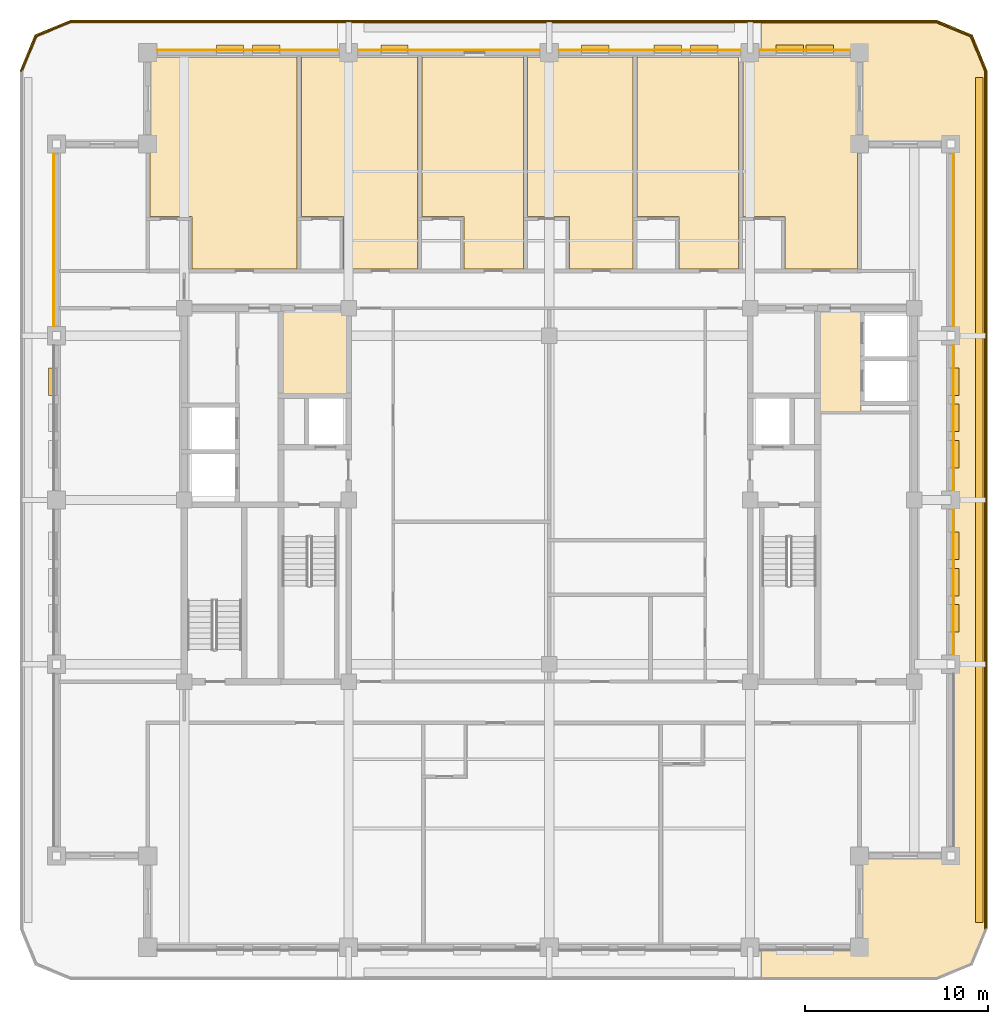
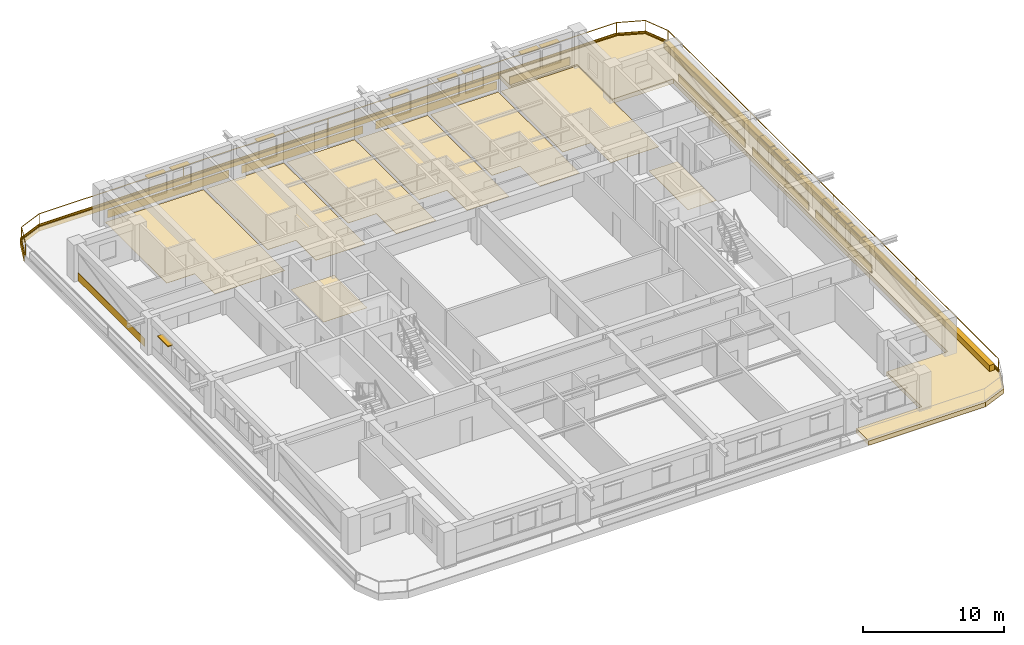
# One storey, part 14 of 14: 24 coverings, 15 shading devices, 2 railings.
"""IFC4 building model written with IfcOpenShell, lengths in metres."""

from ifc_helpers import new_model, si_unit, direction, frame, frame_2d, origin, origin_2d, place, context, subcontext, project, spatial, polyline, rectangle, outline, extrude, material, layer, layer_set, type_object, element, save


model = new_model("IFC4")

# Units and contexts
model_context = context("Model", 3, precision=1e-05, world=origin(), true_north=direction((0.0, 1.0)))
body_context = subcontext(model_context, "Body", "Model", "MODEL_VIEW")
ifc_project = project(units=[si_unit("LENGTHUNIT", "METRE"), si_unit("AREAUNIT", "SQUARE_METRE"), si_unit("VOLUMEUNIT", "CUBIC_METRE"), si_unit("PLANEANGLEUNIT", "RADIAN"), si_unit("MASSUNIT", "GRAM", prefix="KILO")], contexts=[model_context])

# Site, building, storey
site_placement = place(None, origin())
site = spatial("IfcSite", under=ifc_project, at=site_placement, CompositionType="ELEMENT")
building_placement = place(site_placement, origin())
building = spatial("IfcBuilding", under=site, at=building_placement, Name="Zulmaris Gate Convention Tower", CompositionType="ELEMENT")
storey_placement = place(building_placement, frame((0.0, 0.0, 194.85986328125)))
storey = spatial("IfcBuildingStorey", under=building, at=storey_placement, Name="L50", CompositionType="ELEMENT", Elevation=194.85986328125)

# Coverings
ifc_material_1 = material(Name="Precast concrete C40/50", Category="concrete")
ifc_layer_1 = layer(ifc_material_1, 0.0400390625, Name="Precast concrete C40/50")
ifc_layer_set_1 = layer_set([ifc_layer_1], Name="Precast concrete C40/50")
covering_type_1 = type_object("IfcCoveringType", Name="CLAD-SPANDREL-PRECAST", PredefinedType="CLADDING", material=ifc_layer_set_1)
for number, where, z_axis, x_axis, name in (
    (1, (-11.530029296875, 24.64990234375, 0.0), (0.0, 0.0, 1.0), (-1.0, 0.0, 0.0), "CLD-L50-N-0_0"),
    (2, (-0.530029296875, 24.64990234375, 0.0), (0.0, 0.0, 1.0), (-1.0, 0.0, 0.0), "CLD-L50-N-1_0"),
    (3, (10.469970703125, 24.64990234375, 0.0), (0.0, 0.0, 1.0), (-1.0, 0.0, 0.0), "CLD-L50-N-2_0"),
):
    element("IfcCovering", number, at=place(storey_placement, frame(where, z_axis=z_axis, x_axis=x_axis)), inside=storey, type_object=covering_type_1, Name=name, PredefinedType="CLADDING", context=body_context, shape_type="SweptSolid", body=[
        extrude(rectangle(XDim=9.93994140625, YDim=0.0400390625, at=frame_2d((4.969970703125, 0.0))), origin(), (0.0, 0.0, 1.0), 0.679931640625),
    ])
covering_1_placement = place(storey_placement, frame((16.469970703125, 24.64990234375, 0.0), z_axis=(0.0, 0.0, 1.0), x_axis=(-1.0, 0.0, 0.0)))
element("IfcCovering", 4, at=covering_1_placement, inside=storey, type_object=covering_type_1, Name="CLD-L50-N-3_0", PredefinedType="CLADDING", context=body_context, shape_type="SweptSolid", body=[
    extrude(rectangle(XDim=4.93994140625, YDim=0.0400390625, at=frame_2d((2.469970703125, 0.0))), origin(), (0.0, 0.0, 1.0), 0.679931640625),
])
for number, where, z_axis, x_axis, name in (
    (5, (22.14990234375, -8.469970703125, 0.0), (0.0, 0.0, 1.0), (0.0, 1.0, 0.0), "CLD-L50-E-1_0"),
    (6, (22.14990234375, 0.530029296875, 0.0), (0.0, 0.0, 1.0), (0.0, 1.0, 0.0), "CLD-L50-E-2_0"),
):
    element("IfcCovering", number, at=place(storey_placement, frame(where, z_axis=z_axis, x_axis=x_axis)), inside=storey, type_object=covering_type_1, Name=name, PredefinedType="CLADDING", context=body_context, shape_type="SweptSolid", body=[
        extrude(rectangle(XDim=7.93994140625, YDim=0.0400390625, at=frame_2d((3.969970703125, 0.0))), origin(), (0.0, 0.0, 1.0), 0.679931640625),
    ])
for number, where, z_axis, x_axis, name in (
    (7, (22.14990234375, 9.530029296875, 0.0), (0.0, 0.0, 1.0), (0.0, 1.0, 0.0), "CLD-L50-E-3_0"),
    (8, (-27.14990234375, 18.969970703125, 0.0), (0.0, 0.0, 1.0), (0.0, -1.0, 0.0), "CLD-L50-W-3_0"),
):
    element("IfcCovering", number, at=place(storey_placement, frame(where, z_axis=z_axis, x_axis=x_axis)), inside=storey, type_object=covering_type_1, Name=name, PredefinedType="CLADDING", context=body_context, shape_type="SweptSolid", body=[
        extrude(rectangle(XDim=9.43994140625, YDim=0.0400390625, at=frame_2d((4.719970703125, 0.0))), origin(), (0.0, 0.0, 1.0), 0.679931640625),
    ])
ifc_material_2 = material(Name="White Glazed Architectural Precast Concrete C40/50", Category="concrete")
ifc_layer_2 = layer(ifc_material_2, 0.239990234375, Name="White Glazed Architectural Precast Concrete C40/50")
ifc_layer_set_2 = layer_set([ifc_layer_2], Name="White Glazed Architectural Precast Concrete C40/50")
covering_type_2 = type_object("IfcCoveringType", Name="CLAD-TRAY-DECK", PredefinedType="CLADDING", material=ifc_layer_set_2)
covering_2_placement = place(storey_placement, frame((0.0, 0.0, -0.425048828125)))
element("IfcCovering", 9, at=covering_2_placement, inside=storey, type_object=covering_type_2, Name="L50 East Rounded-Fascia Planter Tray Deck", PredefinedType="CLADDING", context=body_context, shape_type="SweptSolid", body=[
    extrude(outline(polyline([(21.199951171875, 26.300048828125), (23.179931640625, 25.47998046875), (24.0, 23.5), (24.0, -23.5), (23.179931640625, -25.47998046875), (21.199951171875, -26.300048828125), (11.60205078125, -26.300048828125), (11.60205078125, -24.5), (17.0, -24.5), (17.0, -19.5), (22.0, -19.5), (22.0, 19.5), (17.0, 19.5), (17.0, 24.5), (11.60205078125, 24.5), (11.60205078125, 26.300048828125), (21.199951171875, 26.300048828125)])), origin(), (0.0, 0.0, 1.0), 0.385009765625),
])
ifc_layer_3 = layer(ifc_material_2, 0.080078125, Name="White Glazed Architectural Precast Concrete C40/50")
ifc_layer_set_3 = layer_set([ifc_layer_3], Name="White Glazed Architectural Precast Concrete C40/50")
covering_type_3 = type_object("IfcCoveringType", Name="CLAD-TRAY-FASCIA", PredefinedType="CLADDING", material=ifc_layer_set_3)
covering_3_placement = place(storey_placement, frame((23.9599609375, -23.5, -0.46484375), z_axis=(0.0, 0.0, 1.0), x_axis=(0.0, 1.0, 0.0)))
element("IfcCovering", 10, at=covering_3_placement, inside=storey, type_object=covering_type_3, Name="FSC-L50-TR-05", PredefinedType="CLADDING", context=body_context, shape_type="SweptSolid", body=[
    extrude(rectangle(XDim=47.0, YDim=0.080078125, at=frame_2d((23.5, 0.0))), origin(), (0.0, 0.0, 1.0), 0.5849609375),
])
covering_4_placement = place(storey_placement, frame((23.962890625, 23.484619140625, -0.46484375), z_axis=(0.0, 0.0, 1.0), x_axis=(-0.382656984709, 0.923890487046, 0.0)))
element("IfcCovering", 11, at=covering_4_placement, inside=storey, type_object=covering_type_3, Name="FSC-L50-TR-06", PredefinedType="CLADDING", context=body_context, shape_type="SweptSolid", body=[
    extrude(rectangle(XDim=2.14306640625, YDim=0.080078125, at=frame_2d((1.071533203125, 0.0))), origin(), (0.0, 0.0, 1.0), 0.5849609375),
])
covering_5_placement = place(storey_placement, frame((23.16455078125, 25.44287109375, -0.46484375), z_axis=(0.0, 0.0, 1.0), x_axis=(-0.923873803533, 0.382697263049, 0.0)))
element("IfcCovering", 12, at=covering_5_placement, inside=storey, type_object=covering_type_3, Name="FSC-L50-TR-07", PredefinedType="CLADDING", context=body_context, shape_type="SweptSolid", body=[
    extrude(rectangle(XDim=2.142822265625, YDim=0.080078125, at=frame_2d((1.0712890625, 0.0))), origin(), (0.0, 0.0, 1.0), 0.5849609375),
])
covering_6_placement = place(storey_placement, frame((21.199951171875, 26.260009765625, -0.46484375), z_axis=(0.0, 0.0, 1.0), x_axis=(-1.0, 0.0, 0.0)))
element("IfcCovering", 13, at=covering_6_placement, inside=storey, type_object=covering_type_3, Name="FSC-L50-TR-08", PredefinedType="CLADDING", context=body_context, shape_type="SweptSolid", body=[
    extrude(rectangle(XDim=47.39990234375, YDim=0.080078125, at=frame_2d((23.699951171875, 0.0))), origin(), (0.0, 0.0, 1.0), 0.5849609375),
])
covering_7_placement = place(storey_placement, frame((-26.184814453125, 26.262939453125, -0.46484375), z_axis=(0.0, 0.0, 1.0), x_axis=(-0.923873803533, -0.382697263049, 0.0)))
element("IfcCovering", 14, at=covering_7_placement, inside=storey, type_object=covering_type_3, Name="FSC-L50-TR-09", PredefinedType="CLADDING", context=body_context, shape_type="SweptSolid", body=[
    extrude(rectangle(XDim=2.142822265625, YDim=0.080078125, at=frame_2d((1.0712890625, 0.0))), origin(), (0.0, 0.0, 1.0), 0.5849609375),
])
covering_8_placement = place(storey_placement, frame((-28.142822265625, 25.464599609375, -0.46484375), z_axis=(0.0, 0.0, 1.0), x_axis=(-0.382656984709, -0.923890487046, 0.0)))
element("IfcCovering", 15, at=covering_8_placement, inside=storey, type_object=covering_type_3, Name="FSC-L50-TR-10", PredefinedType="CLADDING", context=body_context, shape_type="SweptSolid", body=[
    extrude(rectangle(XDim=2.14306640625, YDim=0.080078125, at=frame_2d((1.071533203125, 0.0))), origin(), (0.0, 0.0, 1.0), 0.5849609375),
])
ifc_material_3 = material(Name="Woven Acoustic Wool Carpet Tile")
ifc_layer_4 = layer(ifc_material_3, 0.02001953125, Name="Woven Acoustic Wool Carpet Tile")
ifc_layer_set_4 = layer_set([ifc_layer_4], Name="Woven Acoustic Wool Carpet Tile")
covering_type_4 = type_object("IfcCoveringType", Name="FLR-CARPET-12", PredefinedType="FLOORING", material=ifc_layer_set_4)
covering_9_placement = place(storey_placement, origin())
element("IfcCovering", 16, at=covering_9_placement, inside=storey, type_object=covering_type_4, Name="FLR-L50-R11", PredefinedType="FLOORING", context=body_context, shape_type="SweptSolid", body=[
    extrude(outline(polyline([(-14.639892578125, 5.760009765625), (-11.06005859375, 5.760009765625), (-11.06005859375, 10.43994140625), (-14.639892578125, 10.43994140625), (-14.639892578125, 5.760009765625)])), origin(), (0.0, 0.0, 1.0), 0.02001953125),
])
covering_10_placement = place(storey_placement, origin())
element("IfcCovering", 17, at=covering_10_placement, inside=storey, type_object=covering_type_4, Name="FLR-L50-R21", PredefinedType="FLOORING", context=body_context, shape_type="SweptSolid", body=[
    extrude(outline(polyline([(14.760009765625, 4.860107421875), (17.090087890625, 4.860107421875), (17.090087890625, 10.43994140625), (14.760009765625, 10.43994140625), (14.760009765625, 4.860107421875)])), origin(), (0.0, 0.0, 1.0), 0.02001953125),
])
ifc_material_4 = material(Name="Engineered Teak Parquet Flooring")
ifc_layer_5 = layer(ifc_material_4, 0.02001953125, Name="Engineered Teak Parquet Flooring")
ifc_layer_set_5 = layer_set([ifc_layer_5], Name="Engineered Teak Parquet Flooring")
covering_type_5 = type_object("IfcCoveringType", Name="FLR-TIMBER-18", PredefinedType="FLOORING", material=ifc_layer_set_5)
covering_11_placement = place(storey_placement, origin())
element("IfcCovering", 18, at=covering_11_placement, inside=storey, type_object=covering_type_5, Name="FLR-L50-R30", PredefinedType="FLOORING", context=body_context, shape_type="SweptSolid", body=[
    extrude(outline(polyline([(-19.580078125, 12.669921875), (-13.820068359375, 12.669921875), (-13.820068359375, 24.260009765625), (-21.8798828125, 24.260009765625), (-21.8798828125, 15.52001953125), (-19.580078125, 15.52001953125), (-19.580078125, 12.669921875)])), origin(), (0.0, 0.0, 1.0), 0.02001953125),
])
covering_12_placement = place(storey_placement, origin())
element("IfcCovering", 19, at=covering_12_placement, inside=storey, type_object=covering_type_5, Name="FLR-L50-R32", PredefinedType="FLOORING", context=body_context, shape_type="SweptSolid", body=[
    extrude(outline(polyline([(-11.280029296875, 12.669921875), (-7.219970703125, 12.669921875), (-7.219970703125, 24.260009765625), (-13.580078125, 24.260009765625), (-13.580078125, 15.52001953125), (-11.280029296875, 15.52001953125), (-11.280029296875, 12.669921875)])), origin(), (0.0, 0.0, 1.0), 0.02001953125),
])
covering_13_placement = place(storey_placement, origin())
element("IfcCovering", 20, at=covering_13_placement, inside=storey, type_object=covering_type_5, Name="FLR-L50-R34", PredefinedType="FLOORING", context=body_context, shape_type="SweptSolid", body=[
    extrude(outline(polyline([(-4.679931640625, 12.669921875), (-1.419921875, 12.669921875), (-1.419921875, 24.260009765625), (-6.97998046875, 24.260009765625), (-6.97998046875, 15.52001953125), (-4.679931640625, 15.52001953125), (-4.679931640625, 12.669921875)])), origin(), (0.0, 0.0, 1.0), 0.02001953125),
])
covering_14_placement = place(storey_placement, origin())
element("IfcCovering", 21, at=covering_14_placement, inside=storey, type_object=covering_type_5, Name="FLR-L50-R36", PredefinedType="FLOORING", context=body_context, shape_type="SweptSolid", body=[
    extrude(outline(polyline([(1.1201171875, 12.669921875), (4.580078125, 12.669921875), (4.580078125, 24.260009765625), (-1.179931640625, 24.260009765625), (-1.179931640625, 15.52001953125), (1.1201171875, 15.52001953125), (1.1201171875, 12.669921875)])), origin(), (0.0, 0.0, 1.0), 0.02001953125),
])
covering_15_placement = place(storey_placement, origin())
element("IfcCovering", 22, at=covering_15_placement, inside=storey, type_object=covering_type_5, Name="FLR-L50-R38", PredefinedType="FLOORING", context=body_context, shape_type="SweptSolid", body=[
    extrude(outline(polyline([(7.1201171875, 12.669921875), (10.3798828125, 12.669921875), (10.3798828125, 24.260009765625), (4.820068359375, 24.260009765625), (4.820068359375, 15.52001953125), (7.1201171875, 15.52001953125), (7.1201171875, 12.669921875)])), origin(), (0.0, 0.0, 1.0), 0.02001953125),
])
covering_16_placement = place(storey_placement, origin())
element("IfcCovering", 23, at=covering_16_placement, inside=storey, type_object=covering_type_5, Name="FLR-L50-R40", PredefinedType="FLOORING", context=body_context, shape_type="SweptSolid", body=[
    extrude(outline(polyline([(12.919921875, 12.669921875), (16.8798828125, 12.669921875), (16.8798828125, 24.260009765625), (10.6201171875, 24.260009765625), (10.6201171875, 15.52001953125), (12.919921875, 15.52001953125), (12.919921875, 12.669921875)])), origin(), (0.0, 0.0, 1.0), 0.02001953125),
])
ifc_material_5 = material(Name="Botanical Green Glazed Precast Concrete C40/50", Category="concrete")
ifc_layer_6 = layer(ifc_material_5, 0.419921875, Name="Botanical Green Glazed Precast Concrete C40/50")
ifc_layer_set_6 = layer_set([ifc_layer_6], Name="Botanical Green Glazed Precast Concrete C40/50")
covering_type_6 = type_object("IfcCoveringType", Name="PLANTER-BOX-200", PredefinedType="CLADDING", material=ifc_layer_set_6)
covering_17_placement = place(storey_placement, frame((0.0, 0.0, -0.0400390625)))
element("IfcCovering", 24, at=covering_17_placement, inside=storey, type_object=covering_type_6, Name="L50 E Full-Length Balcony Tree Planter Trough", PredefinedType="CLADDING", context=body_context, shape_type="SweptSolid", body=[
    extrude(outline(polyline([(23.340087890625, -23.14990234375), (23.760009765625, -23.14990234375), (23.760009765625, 23.14990234375), (23.340087890625, 23.14990234375), (23.340087890625, -23.14990234375)])), origin(), (0.0, 0.0, 1.0), 0.52001953125),
])

# Railings
ifc_material_6 = material(Name="Laminated Glass and Stainless Steel", Category="steel")
railing_type = type_object("IfcRailingType", Name="RL-BALC-1150", PredefinedType="BALUSTRADE", material=ifc_material_6)
railing_1_placement = place(storey_placement, frame((23.8798828125, -23.5, -0.0400390625)))
element("IfcRailing", 25, at=railing_1_placement, inside=storey, type_object=railing_type, Name="RL-L50-BALC-E", PredefinedType="BALUSTRADE", context=body_context, shape_type="SweptSolid", body=[
    extrude(rectangle(XDim=0.048095703125, YDim=0.048095703125, at=origin_2d()), frame((0.0, 0.0, 1.1259765625), z_axis=(0.0, 1.0, 0.0), x_axis=(-1.0, 0.0, 0.0)), (0.0, 0.0, 1.0), 47.0),
    extrude(rectangle(XDim=0.048095703125, YDim=0.048095703125, at=origin_2d()), frame((0.0, 0.0, 0.02392578125), z_axis=(0.0, 1.0, 0.0), x_axis=(-1.0, 0.0, 0.0)), (0.0, 0.0, 1.0), 47.0),
    extrude(rectangle(XDim=0.0419921875, YDim=0.0419921875, at=origin_2d()), origin(), (0.0, 0.0, 1.0), 1.101806640625),
    extrude(rectangle(XDim=0.0419921875, YDim=0.0419921875, at=origin_2d()), frame((0.0, 11.75, 0.0)), (0.0, 0.0, 1.0), 1.101806640625),
    extrude(rectangle(XDim=0.0419921875, YDim=0.0419921875, at=origin_2d()), frame((0.0, 23.5, 0.0)), (0.0, 0.0, 1.0), 1.101806640625),
    extrude(rectangle(XDim=0.0419921875, YDim=0.0419921875, at=origin_2d()), frame((0.0, 35.25, 0.0)), (0.0, 0.0, 1.0), 1.101806640625),
    extrude(rectangle(XDim=0.0419921875, YDim=0.0419921875, at=origin_2d()), frame((0.0, 47.0, 0.0)), (0.0, 0.0, 1.0), 1.101806640625),
])
railing_2_placement = place(storey_placement, frame((23.8798828125, 23.5, -0.0400390625)))
element("IfcRailing", 26, at=railing_2_placement, inside=storey, type_object=railing_type, Name="RL-L50-BALC-N", PredefinedType="BALUSTRADE", context=body_context, shape_type="SweptSolid", body=[
    extrude(rectangle(XDim=0.048095703125, YDim=0.048095703125, at=origin_2d()), frame((0.0, 0.0, 1.1259765625), z_axis=(-0.382670664694, 0.92388482095, 0.0), x_axis=(-0.92388482095, -0.382670664694, 0.0)), (0.0, 0.0, 1.0), 2.051025390625),
    extrude(rectangle(XDim=0.048095703125, YDim=0.048095703125, at=origin_2d()), frame((0.0, 0.0, 0.02392578125), z_axis=(-0.382670664694, 0.92388482095, 0.0), x_axis=(-0.92388482095, -0.382670664694, 0.0)), (0.0, 0.0, 1.0), 2.051025390625),
    extrude(rectangle(XDim=0.048095703125, YDim=0.048095703125, at=origin_2d()), frame((-0.784912109375, 1.89501953125, 1.1259765625), z_axis=(-0.92388482095, 0.382670664694, 0.0), x_axis=(-0.382670664694, -0.92388482095, 0.0)), (0.0, 0.0, 1.0), 2.051025390625),
    extrude(rectangle(XDim=0.048095703125, YDim=0.048095703125, at=origin_2d()), frame((-0.784912109375, 1.89501953125, 0.02392578125), z_axis=(-0.92388482095, 0.382670664694, 0.0), x_axis=(-0.382670664694, -0.92388482095, 0.0)), (0.0, 0.0, 1.0), 2.051025390625),
    extrude(rectangle(XDim=0.048095703125, YDim=0.048095703125, at=origin_2d()), frame((-2.679931640625, 2.679931640625, 1.1259765625), z_axis=(-1.0, 0.0, 0.0), x_axis=(0.0, -1.0, 0.0)), (0.0, 0.0, 1.0), 47.39990234375),
    extrude(rectangle(XDim=0.048095703125, YDim=0.048095703125, at=origin_2d()), frame((-2.679931640625, 2.679931640625, 0.02392578125), z_axis=(-1.0, 0.0, 0.0), x_axis=(0.0, -1.0, 0.0)), (0.0, 0.0, 1.0), 47.39990234375),
    extrude(rectangle(XDim=0.048095703125, YDim=0.048095703125, at=origin_2d()), frame((-50.079833984375, 2.679931640625, 1.1259765625), z_axis=(-0.92388482095, -0.382670664694, 0.0), x_axis=(0.382670664694, -0.92388482095, 0.0)), (0.0, 0.0, 1.0), 2.051025390625),
    extrude(rectangle(XDim=0.048095703125, YDim=0.048095703125, at=origin_2d()), frame((-50.079833984375, 2.679931640625, 0.02392578125), z_axis=(-0.92388482095, -0.382670664694, 0.0), x_axis=(0.382670664694, -0.92388482095, 0.0)), (0.0, 0.0, 1.0), 2.051025390625),
    extrude(rectangle(XDim=0.048095703125, YDim=0.048095703125, at=origin_2d()), frame((-51.974853515625, 1.89501953125, 1.1259765625), z_axis=(-0.382670664694, -0.92388482095, 0.0), x_axis=(0.92388482095, -0.382670664694, 0.0)), (0.0, 0.0, 1.0), 2.051025390625),
    extrude(rectangle(XDim=0.048095703125, YDim=0.048095703125, at=origin_2d()), frame((-51.974853515625, 1.89501953125, 0.02392578125), z_axis=(-0.382670664694, -0.92388482095, 0.0), x_axis=(0.92388482095, -0.382670664694, 0.0)), (0.0, 0.0, 1.0), 2.051025390625),
    extrude(rectangle(XDim=0.0419921875, YDim=0.0419921875, at=origin_2d()), origin(), (0.0, 0.0, 1.0), 1.101806640625),
    extrude(rectangle(XDim=0.0419921875, YDim=0.0419921875, at=origin_2d()), frame((-0.784912109375, 1.89501953125, 0.0)), (0.0, 0.0, 1.0), 1.101806640625),
    extrude(rectangle(XDim=0.0419921875, YDim=0.0419921875, at=origin_2d()), frame((-2.679931640625, 2.679931640625, 0.0)), (0.0, 0.0, 1.0), 1.101806640625),
    extrude(rectangle(XDim=0.0419921875, YDim=0.0419921875, at=origin_2d()), frame((-14.52978515625, 2.679931640625, 0.0)), (0.0, 0.0, 1.0), 1.101806640625),
    extrude(rectangle(XDim=0.0419921875, YDim=0.0419921875, at=origin_2d()), frame((-26.3798828125, 2.679931640625, 0.0)), (0.0, 0.0, 1.0), 1.101806640625),
    extrude(rectangle(XDim=0.0419921875, YDim=0.0419921875, at=origin_2d()), frame((-38.22998046875, 2.679931640625, 0.0)), (0.0, 0.0, 1.0), 1.101806640625),
    extrude(rectangle(XDim=0.0419921875, YDim=0.0419921875, at=origin_2d()), frame((-50.079833984375, 2.679931640625, 0.0)), (0.0, 0.0, 1.0), 1.101806640625),
    extrude(rectangle(XDim=0.0419921875, YDim=0.0419921875, at=origin_2d()), frame((-51.974853515625, 1.89501953125, 0.0)), (0.0, 0.0, 1.0), 1.101806640625),
    extrude(rectangle(XDim=0.0419921875, YDim=0.0419921875, at=origin_2d()), frame((-52.759765625, 0.0, 0.0)), (0.0, 0.0, 1.0), 1.101806640625),
])

# Shading devices
ifc_material_7 = material(Name="Glazed Ceramic Terracotta", Category="masonry")
ifc_layer_7 = layer(ifc_material_7, 0.070068359375, Name="Glazed Ceramic Terracotta")
ifc_layer_set_7 = layer_set([ifc_layer_7], Name="Glazed Ceramic Terracotta")
shading_device_type = type_object("IfcShadingDeviceType", Name="SHD-SUNSHADE-TC", PredefinedType="AWNING", material=ifc_layer_set_7)
for number, where, z_axis, x_axis, name in (
    (27, (-14.756103515625, 24.719970703125, 2.35009765625), (0.0, 0.0, 1.0), (-1.0, 0.0, 0.0), "SHD-EW-L50-N-0_0-2"),
    (28, (-16.743896484375, 24.719970703125, 2.35009765625), (0.0, 0.0, 1.0), (-1.0, 0.0, 0.0), "SHD-EW-L50-N-0_0-3"),
    (29, (-7.73193359375, 24.719970703125, 2.35009765625), (0.0, 0.0, 1.0), (-1.0, 0.0, 0.0), "SHD-EW-L50-N-1_0-4"),
    (30, (9.23193359375, 24.719970703125, 2.35009765625), (0.0, 0.0, 1.0), (-1.0, 0.0, 0.0), "SHD-EW-L50-N-2_0-1"),
    (31, (7.243896484375, 24.719970703125, 2.35009765625), (0.0, 0.0, 1.0), (-1.0, 0.0, 0.0), "SHD-EW-L50-N-2_0-2"),
    (32, (3.26806640625, 24.719970703125, 2.35009765625), (0.0, 0.0, 1.0), (-1.0, 0.0, 0.0), "SHD-EW-L50-N-2_0-4"),
    (33, (15.572998046875, 24.719970703125, 2.35009765625), (0.0, 0.0, 1.0), (-1.0, 0.0, 0.0), "SHD-EW-L50-N-3_0-1"),
    (34, (13.927001953125, 24.719970703125, 2.35009765625), (0.0, 0.0, 1.0), (-1.0, 0.0, 0.0), "SHD-EW-L50-N-3_0-2"),
    (35, (22.219970703125, -7.235107421875, 2.35009765625), (0.0, 0.0, 1.0), (0.0, 1.0, 0.0), "SHD-EW-L50-E-1_0-1"),
    (36, (22.219970703125, -5.25, 2.35009765625), (0.0, 0.0, 1.0), (0.0, 1.0, 0.0), "SHD-EW-L50-E-1_0-2"),
    (37, (22.219970703125, -3.264892578125, 2.35009765625), (0.0, 0.0, 1.0), (0.0, 1.0, 0.0), "SHD-EW-L50-E-1_0-3"),
    (38, (22.219970703125, 1.764892578125, 2.35009765625), (0.0, 0.0, 1.0), (0.0, 1.0, 0.0), "SHD-EW-L50-E-2_0-1"),
    (39, (22.219970703125, 3.75, 2.35009765625), (0.0, 0.0, 1.0), (0.0, 1.0, 0.0), "SHD-EW-L50-E-2_0-2"),
    (40, (22.219970703125, 5.735107421875, 2.35009765625), (0.0, 0.0, 1.0), (0.0, 1.0, 0.0), "SHD-EW-L50-E-2_0-3"),
    (41, (-27.219970703125, 7.235107421875, 2.35009765625), (0.0, 0.0, 1.0), (0.0, -1.0, 0.0), "SHD-EW-L50-W-2_0-1"),
):
    element("IfcShadingDevice", number, at=place(storey_placement, frame(where, z_axis=z_axis, x_axis=x_axis)), inside=storey, type_object=shading_device_type, Name=name, PredefinedType="AWNING", context=body_context, shape_type="SweptSolid", body=[
        extrude(rectangle(XDim=1.5, YDim=0.43994140625, at=frame_2d((0.75, 0.0))), origin(), (0.0, 0.0, 1.0), 0.06982421875),
    ])

save(model, "model.ifc")
